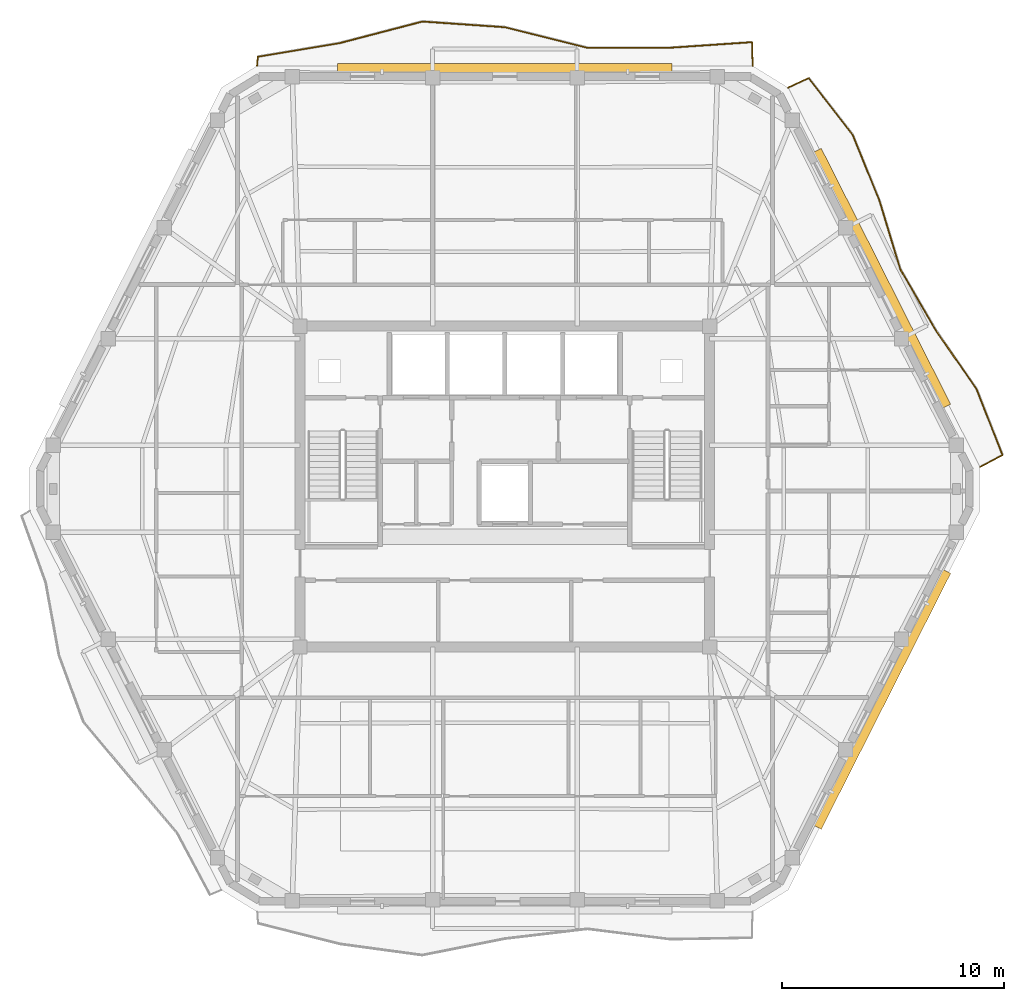
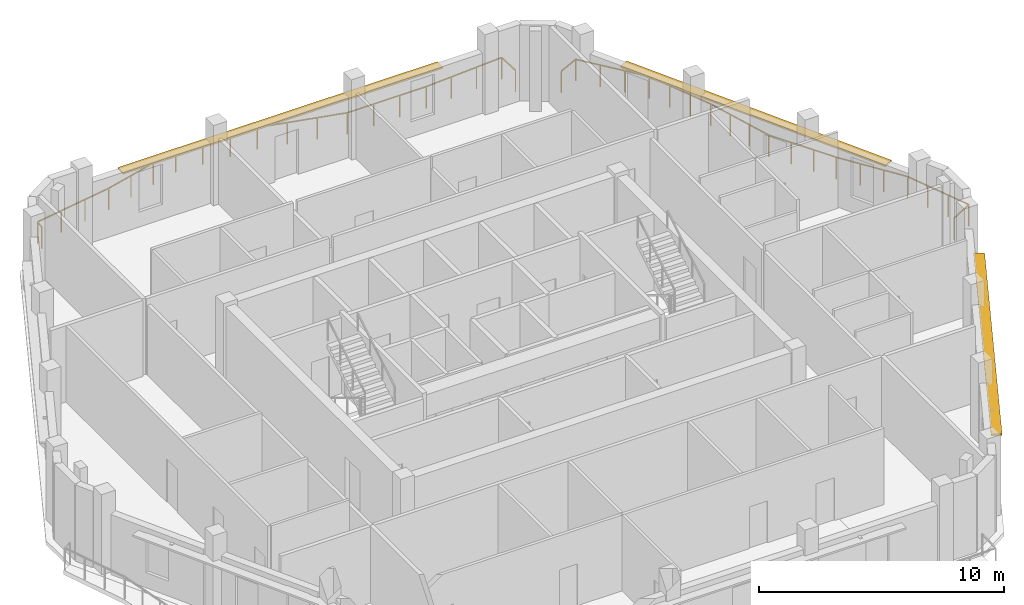
# One storey, part 10 of 10: 3 shading devices, 2 railings.
"""IFC4 building model written with IfcOpenShell, lengths in metres."""

import ifcopenshell
import ifcopenshell.guid

model = None  # the IFC model being written
_history = None  # IfcOwnerHistory: only IFC2X3 demands one
_inside = {}  # id of a spatial element -> (the spatial element, [elements in it])
_under = {}  # id of a project, library or spatial element -> (it, [spatial elements below it])
_declared = {}  # id of a project -> (the project, [libraries it declares])
_typed = {}  # id of a type object -> (the type object, [elements of that type])
_made_of = {}  # id of a material, layer set ... -> (it, [elements and type objects made of it])


def new_model(schema):
    """Start an empty IFC model of exactly this schema.

    Asked for "IFC4X3", IfcOpenShell would pick the latest addendum, in which some entities
    have other attributes; the version numbers below select the first issue.
    IFC2X3 requires an IfcOwnerHistory on every rooted entity: one is made here for all.
    """
    global model, _history
    if schema == "IFC4X3":
        model = ifcopenshell.file(schema_version=(4, 3, 0, 0))
    else:
        model = ifcopenshell.file(schema=schema)
    _inside.clear()
    _under.clear()
    _declared.clear()
    _typed.clear()
    _made_of.clear()
    _history = None
    if model.schema == "IFC2X3":
        org = make("IfcOrganization", Name="unknown")
        user = make(
            "IfcPersonAndOrganization",
            ThePerson=make("IfcPerson", FamilyName="unknown"),
            TheOrganization=org,
        )
        app = make(
            "IfcApplication",
            ApplicationDeveloper=org,
            Version="unknown",
            ApplicationFullName="unknown",
            ApplicationIdentifier="unknown",
        )
        _history = make(
            "IfcOwnerHistory",
            OwningUser=user,
            OwningApplication=app,
            ChangeAction="ADDED",
            CreationDate=0,
        )
    return model


def make(cls, **values):
    """One entity of the class cls with the attributes given. An attribute that is None is left unset."""
    return model.create_entity(
        cls, **{name: value for name, value in values.items() if value is not None}
    )


def rooted(cls, **values):
    """An entity with a GlobalId (a new one), such as an element, a storey or a relation."""
    return make(cls, GlobalId=ifcopenshell.guid.new(), OwnerHistory=_history, **values)


def si_unit(unit_type, name, prefix=None):
    """IfcSIUnit, for example si_unit("LENGTHUNIT", "METRE", prefix="MILLI")."""
    return make("IfcSIUnit", UnitType=unit_type, Prefix=prefix, Name=name)


def assignment(units):
    """IfcUnitAssignment: the units of a project."""
    return None if units is None else make("IfcUnitAssignment", Units=units)


def point(xyz):
    """IfcCartesianPoint."""
    return None if xyz is None else make("IfcCartesianPoint", Coordinates=xyz)


def direction(xyz):
    """IfcDirection."""
    return None if xyz is None else make("IfcDirection", DirectionRatios=xyz)


def frame(location, z_axis=None, x_axis=None):
    """IfcAxis2Placement3D, a coordinate frame: its origin and axes. An axis left out is left unset."""
    return make(
        "IfcAxis2Placement3D",
        Location=point(location),
        Axis=direction(z_axis),
        RefDirection=direction(x_axis),
    )


def frame_2d(location, x_axis=None):
    """IfcAxis2Placement2D, a coordinate frame in the plane: its origin and x axis."""
    return make(
        "IfcAxis2Placement2D", Location=point(location), RefDirection=direction(x_axis)
    )


def origin():
    """The frame at (0, 0, 0) with its axes left unset."""
    return frame((0.0, 0.0, 0.0))


def origin_2d():
    """The frame at (0, 0) in the plane with its x axis left unset."""
    return frame_2d((0.0, 0.0))


def place(relative_to, where):
    """IfcLocalPlacement: puts the frame where relative to a parent placement (None: the world)."""
    return make(
        "IfcLocalPlacement", PlacementRelTo=relative_to, RelativePlacement=where
    )


def context(
    kind, dimensions, precision=None, world=None, true_north=None, identifier=None
):
    """IfcGeometricRepresentationContext, for example the 3D "Model" context."""
    return make(
        "IfcGeometricRepresentationContext",
        ContextIdentifier=identifier,
        ContextType=kind,
        CoordinateSpaceDimension=dimensions,
        Precision=precision,
        WorldCoordinateSystem=world,
        TrueNorth=true_north,
    )


def subcontext(parent, identifier, kind, view, scale=None):
    """IfcGeometricRepresentationSubContext, for example "Body" below "Model"."""
    return make(
        "IfcGeometricRepresentationSubContext",
        ContextIdentifier=identifier,
        ContextType=kind,
        ParentContext=parent,
        TargetScale=scale,
        TargetView=view,
    )


def project(units=None, contexts=None):
    """IfcProject with its units and contexts."""
    return rooted(
        "IfcProject",
        Name="project",
        RepresentationContexts=contexts,
        UnitsInContext=assignment(units),
    )


def spatial(cls, under=None, at=None, **own):
    """A site, building, storey or space (cls), placed at a placement, below another one or the project."""
    s = rooted(cls, ObjectPlacement=at, **own)
    if under is not None:
        _under.setdefault(under.id(), (under, []))[1].append(s)
    return s


def profile(cls, at=None, kind="AREA", **sizes):
    """A parametric profile (cls). Its sizes go by their IFC names, for example OverallWidth=200.0."""
    return make(cls, ProfileType=kind, Position=at, **sizes)


def rectangle(**sizes):
    """IfcRectangleProfileDef."""
    return profile("IfcRectangleProfileDef", **sizes)


def extrude(swept, where, along, depth):
    """IfcExtrudedAreaSolid: the profile swept, set in the frame where, extruded along a direction by depth."""
    return make(
        "IfcExtrudedAreaSolid",
        SweptArea=swept,
        Position=where,
        ExtrudedDirection=direction(along),
        Depth=depth,
    )


def shape(context_of_items, identifier, shape_type, items):
    """IfcShapeRepresentation: the items that make up one representation, for example the "Body"."""
    return make(
        "IfcShapeRepresentation",
        ContextOfItems=context_of_items,
        RepresentationIdentifier=identifier,
        RepresentationType=shape_type,
        Items=items,
    )


def material(Name=None, Category=None):
    """IfcMaterial."""
    return make("IfcMaterial", Name=Name, Category=Category)


def layer(
    of_material, thickness, ventilated=None, Name=None, Category=None, Priority=None
):
    """IfcMaterialLayer: one layer of a wall or slab, of a material (None: an air gap)."""
    return make(
        "IfcMaterialLayer",
        Material=of_material,
        LayerThickness=thickness,
        IsVentilated=ventilated,
        Name=Name,
        Category=Category,
        Priority=Priority,
    )


def layer_set(layers, Name=None):
    """IfcMaterialLayerSet."""
    return make("IfcMaterialLayerSet", MaterialLayers=layers, LayerSetName=Name)


def made_of(thing, what):
    """Note that an element or type object is made of a material, layer set ...; save() writes the relation."""
    if what is not None:
        _made_of.setdefault(what.id(), (what, []))[1].append(thing)
    return thing


def type_object(cls, material=None, **own):
    """A type object (cls), such as IfcWallType, which elements share."""
    return made_of(rooted(cls, **own), material)


def element(
    cls,
    number,
    at=None,
    inside=None,
    cuts=None,
    type_object=None,
    material=None,
    context=None,
    identifier="Body",
    shape_type=None,
    held_by="IfcProductDefinitionShape",
    body=None,
    shapes=None,
    **own,
):
    """One element of the class cls, such as IfcWall. Its Tag is "e" and its number.

    at: its placement. inside: the storey or other place that contains it. cuts: it is an
    opening in that element (IfcRelVoidsElement). A single representation is given by context,
    identifier, shape_type and body (its items); several are given by shapes. held_by: the class
    of the entity that holds the representations. save() writes the other relations.
    """
    e = rooted(cls, Tag="e%d" % number, ObjectPlacement=at, **own)
    if body is not None:
        shapes = [shape(context, identifier, shape_type, body)]
    if shapes is not None:
        e.Representation = make(held_by, Representations=shapes)
    if inside is not None:
        _inside.setdefault(inside.id(), (inside, []))[1].append(e)
    if cuts is not None:
        rooted(
            "IfcRelVoidsElement", RelatingBuildingElement=cuts, RelatedOpeningElement=e
        )
    if type_object is not None:
        _typed.setdefault(type_object.id(), (type_object, []))[1].append(e)
    return made_of(e, material)


def aggregate(whole, parts):
    """IfcRelAggregates: a whole, such as a stair, and the parts it consists of."""
    return rooted("IfcRelAggregates", RelatingObject=whole, RelatedObjects=parts)


def save(model, path):
    """Write the relations noted so far, then the file.

    IfcRelAggregates (storeys below a building ...), IfcRelContainedInSpatialStructure (elements
    in a storey), IfcRelDefinesByType, IfcRelAssociatesMaterial and IfcRelDeclares: one each for
    every whole, place, type object, material and project.
    """
    for whole, parts in _under.values():
        aggregate(whole, parts)
    for where, things in _inside.values():
        rooted(
            "IfcRelContainedInSpatialStructure",
            RelatedElements=things,
            RelatingStructure=where,
        )
    for kind, things in _typed.values():
        rooted("IfcRelDefinesByType", RelatedObjects=things, RelatingType=kind)
    for what, things in _made_of.values():
        rooted("IfcRelAssociatesMaterial", RelatedObjects=things, RelatingMaterial=what)
    for by, libraries in _declared.values():
        rooted("IfcRelDeclares", RelatingContext=by, RelatedDefinitions=libraries)
    model.write(path)


model = new_model("IFC4")

# Units and contexts
model_context = context("Model", 3, precision=1e-05, world=origin(), true_north=direction((0.0, 1.0)))
body_context = subcontext(model_context, "Body", "Model", "MODEL_VIEW")
ifc_project = project(units=[si_unit("LENGTHUNIT", "METRE"), si_unit("AREAUNIT", "SQUARE_METRE"), si_unit("VOLUMEUNIT", "CUBIC_METRE"), si_unit("PLANEANGLEUNIT", "RADIAN"), si_unit("MASSUNIT", "GRAM", prefix="KILO")], contexts=[model_context])

# Site, building, storey
site_placement = place(None, origin())
site = spatial("IfcSite", under=ifc_project, at=site_placement, CompositionType="ELEMENT")
building_placement = place(site_placement, origin())
building = spatial("IfcBuilding", under=site, at=building_placement, Name="Cinnabar Lancet Tower", CompositionType="ELEMENT")
storey_placement = place(building_placement, frame((0.0, 0.0, 287.5)))
storey = spatial("IfcBuildingStorey", under=building, at=storey_placement, Name="L76", CompositionType="ELEMENT", Elevation=287.5)

# Railings
ifc_material_1 = material(Name="Laminated safety glass and bronze stainless steel balustrade", Category="steel")
railing_type = type_object("IfcRailingType", Name="ENV-RLG-BAL-1100", PredefinedType="BALUSTRADE", material=ifc_material_1)
railing_1_placement = place(storey_placement, frame((53.802978515625, 26.781982421875, 0.0)))
element("IfcRailing", 1, at=railing_1_placement, inside=storey, type_object=railing_type, Name="L76 Face 3 Wave Balcony Balustrade", PredefinedType="BALUSTRADE", context=body_context, shape_type="SweptSolid", body=[
    extrude(rectangle(XDim=0.048095703125, YDim=0.048095703125, at=origin_2d()), frame((0.0, 0.0, 1.076171875), z_axis=(0.881286154222, 0.472583023791, 0.0), x_axis=(-0.472583023791, 0.881286154222, 0.0)), (0.0, 0.0, 1.0), 1.142822265625),
    extrude(rectangle(XDim=0.048095703125, YDim=0.048095703125, at=origin_2d()), frame((1.007080078125, 0.5400390625, 1.076171875), z_axis=(-0.366155758675, 0.930553577388, 0.0), x_axis=(-0.930553577388, -0.366155758675, 0.0)), (0.0, 0.0, 1.0), 3.19580078125),
    extrude(rectangle(XDim=0.048095703125, YDim=0.048095703125, at=origin_2d()), frame((-0.1630859375, 3.513916015625, 1.076171875), z_axis=(-0.569640684343, 0.821893843961, 0.0), x_axis=(-0.821893843961, -0.569640684343, 0.0)), (0.0, 0.0, 1.0), 3.212158203125),
    extrude(rectangle(XDim=0.048095703125, YDim=0.048095703125, at=origin_2d()), frame((-1.992919921875, 6.154052734375, 1.076171875), z_axis=(-0.502974787953, 0.864301083352, 0.0), x_axis=(-0.864301083352, -0.502974787953, 0.0)), (0.0, 0.0, 1.0), 3.18505859375),
    extrude(rectangle(XDim=0.048095703125, YDim=0.048095703125, at=origin_2d()), frame((-3.594970703125, 8.906982421875, 1.076171875), z_axis=(-0.290821584178, 0.956777302289, 0.0), x_axis=(-0.956777302289, -0.290821584178, 0.0)), (0.0, 0.0, 1.0), 3.228759765625),
    extrude(rectangle(XDim=0.048095703125, YDim=0.048095703125, at=origin_2d()), frame((-4.533935546875, 11.99609375, 1.076171875), z_axis=(-0.376500101065, 0.926416576869, 0.0), x_axis=(-0.926416576869, -0.376500101065, 0.0)), (0.0, 0.0, 1.0), 3.19287109375),
    extrude(rectangle(XDim=0.048095703125, YDim=0.048095703125, at=origin_2d()), frame((-5.736083984375, 14.9541015625, 1.076171875), z_axis=(-0.61314784503, 0.78996817666, 0.0), x_axis=(-0.78996817666, -0.61314784503, 0.0)), (0.0, 0.0, 1.0), 3.241943359375),
    extrude(rectangle(XDim=0.048095703125, YDim=0.048095703125, at=origin_2d()), frame((-7.723876953125, 17.51513671875, 1.076171875), z_axis=(-0.905918355398, -0.423452397977, 0.0), x_axis=(0.423452397977, -0.905918355398, 0.0)), (0.0, 0.0, 1.0), 1.013671875),
    extrude(rectangle(XDim=0.0419921875, YDim=0.0419921875, at=origin_2d()), origin(), (0.0, 0.0, 1.0), 1.052001953125),
    extrude(rectangle(XDim=0.0419921875, YDim=0.0419921875, at=origin_2d()), frame((1.007080078125, 0.5400390625, 0.0)), (0.0, 0.0, 1.0), 1.052001953125),
    extrude(rectangle(XDim=0.0419921875, YDim=0.0419921875, at=origin_2d()), frame((0.616943359375, 1.53125, 0.0)), (0.0, 0.0, 1.0), 1.052001953125),
    extrude(rectangle(XDim=0.0419921875, YDim=0.0419921875, at=origin_2d()), frame((0.22705078125, 2.522705078125, 0.0)), (0.0, 0.0, 1.0), 1.052001953125),
    extrude(rectangle(XDim=0.0419921875, YDim=0.0419921875, at=origin_2d()), frame((-0.1630859375, 3.513916015625, 0.0)), (0.0, 0.0, 1.0), 1.052001953125),
    extrude(rectangle(XDim=0.0419921875, YDim=0.0419921875, at=origin_2d()), frame((-0.77294921875, 4.39404296875, 0.0)), (0.0, 0.0, 1.0), 1.052001953125),
    extrude(rectangle(XDim=0.0419921875, YDim=0.0419921875, at=origin_2d()), frame((-1.383056640625, 5.27392578125, 0.0)), (0.0, 0.0, 1.0), 1.052001953125),
    extrude(rectangle(XDim=0.0419921875, YDim=0.0419921875, at=origin_2d()), frame((-1.992919921875, 6.154052734375, 0.0)), (0.0, 0.0, 1.0), 1.052001953125),
    extrude(rectangle(XDim=0.0419921875, YDim=0.0419921875, at=origin_2d()), frame((-2.52685546875, 7.07177734375, 0.0)), (0.0, 0.0, 1.0), 1.052001953125),
    extrude(rectangle(XDim=0.0419921875, YDim=0.0419921875, at=origin_2d()), frame((-3.06103515625, 7.9892578125, 0.0)), (0.0, 0.0, 1.0), 1.052001953125),
    extrude(rectangle(XDim=0.0419921875, YDim=0.0419921875, at=origin_2d()), frame((-3.594970703125, 8.906982421875, 0.0)), (0.0, 0.0, 1.0), 1.052001953125),
    extrude(rectangle(XDim=0.0419921875, YDim=0.0419921875, at=origin_2d()), frame((-3.907958984375, 9.936767578125, 0.0)), (0.0, 0.0, 1.0), 1.052001953125),
    extrude(rectangle(XDim=0.0419921875, YDim=0.0419921875, at=origin_2d()), frame((-4.220947265625, 10.96630859375, 0.0)), (0.0, 0.0, 1.0), 1.052001953125),
    extrude(rectangle(XDim=0.0419921875, YDim=0.0419921875, at=origin_2d()), frame((-4.533935546875, 11.99609375, 0.0)), (0.0, 0.0, 1.0), 1.052001953125),
    extrude(rectangle(XDim=0.0419921875, YDim=0.0419921875, at=origin_2d()), frame((-4.9345703125, 12.982177734375, 0.0)), (0.0, 0.0, 1.0), 1.052001953125),
    extrude(rectangle(XDim=0.0419921875, YDim=0.0419921875, at=origin_2d()), frame((-5.33544921875, 13.968017578125, 0.0)), (0.0, 0.0, 1.0), 1.052001953125),
    extrude(rectangle(XDim=0.0419921875, YDim=0.0419921875, at=origin_2d()), frame((-5.736083984375, 14.9541015625, 0.0)), (0.0, 0.0, 1.0), 1.052001953125),
    extrude(rectangle(XDim=0.0419921875, YDim=0.0419921875, at=origin_2d()), frame((-6.398681640625, 15.807861328125, 0.0)), (0.0, 0.0, 1.0), 1.052001953125),
    extrude(rectangle(XDim=0.0419921875, YDim=0.0419921875, at=origin_2d()), frame((-7.061279296875, 16.661376953125, 0.0)), (0.0, 0.0, 1.0), 1.052001953125),
    extrude(rectangle(XDim=0.0419921875, YDim=0.0419921875, at=origin_2d()), frame((-7.723876953125, 17.51513671875, 0.0)), (0.0, 0.0, 1.0), 1.052001953125),
    extrude(rectangle(XDim=0.0419921875, YDim=0.0419921875, at=origin_2d()), frame((-8.64208984375, 17.0859375, 0.0)), (0.0, 0.0, 1.0), 1.052001953125),
])
railing_2_placement = place(storey_placement, frame((43.56396484375, 44.85009765625, 0.0)))
element("IfcRailing", 2, at=railing_2_placement, inside=storey, type_object=railing_type, Name="L76 Face 4 Wave Balcony Balustrade", PredefinedType="BALUSTRADE", context=body_context, shape_type="SweptSolid", body=[
    extrude(rectangle(XDim=0.048095703125, YDim=0.048095703125, at=origin_2d()), frame((0.0, 0.0, 1.076171875), z_axis=(-0.031791701999, 0.999494516085, 0.0), x_axis=(-0.999494516085, -0.031791701999, 0.0)), (0.0, 0.0, 1.0), 1.0673828125),
    extrude(rectangle(XDim=0.048095703125, YDim=0.048095703125, at=origin_2d()), frame((-0.033935546875, 1.06689453125, 1.076171875), z_axis=(-0.997703090351, -0.067738788766, 0.0), x_axis=(0.067738788766, -0.997703090351, 0.0)), (0.0, 0.0, 1.0), 3.719482421875),
    extrude(rectangle(XDim=0.048095703125, YDim=0.048095703125, at=origin_2d()), frame((-3.744873046875, 0.81494140625, 1.076171875), z_axis=(-0.999999861514, -0.000526281093, 0.0), x_axis=(0.000526281093, -0.999999861514, 0.0)), (0.0, 0.0, 1.0), 3.711181640625),
    extrude(rectangle(XDim=0.048095703125, YDim=0.048095703125, at=origin_2d()), frame((-7.4560546875, 0.81298828125, 1.076171875), z_axis=(-0.970142500145, 0.242535625036, 0.0), x_axis=(-0.242535625036, -0.970142500145, 0.0)), (0.0, 0.0, 1.0), 3.822021484375),
    extrude(rectangle(XDim=0.048095703125, YDim=0.048095703125, at=origin_2d()), frame((-11.1640625, 1.739990234375, 1.076171875), z_axis=(-0.997629084841, 0.068820121177, 0.0), x_axis=(-0.068820121177, -0.997629084841, 0.0)), (0.0, 0.0, 1.0), 3.7177734375),
    extrude(rectangle(XDim=0.048095703125, YDim=0.048095703125, at=origin_2d()), frame((-14.873046875, 1.995849609375, 1.076171875), z_axis=(-0.967604423456, -0.252471146289, 0.0), x_axis=(0.252471146289, -0.967604423456, 0.0)), (0.0, 0.0, 1.0), 3.834228515625),
    extrude(rectangle(XDim=0.048095703125, YDim=0.048095703125, at=origin_2d()), frame((-18.5830078125, 1.02783203125, 1.076171875), z_axis=(-0.986327181471, -0.164798941416, 0.0), x_axis=(0.164798941416, -0.986327181471, 0.0)), (0.0, 0.0, 1.0), 3.761474609375),
    extrude(rectangle(XDim=0.048095703125, YDim=0.048095703125, at=origin_2d()), frame((-22.29296875, 0.407958984375, 1.076171875), z_axis=(-0.0852658455, -0.996358236575, 0.0), x_axis=(0.996358236575, -0.0852658455, 0.0)), (0.0, 0.0, 1.0), 0.409423828125),
    extrude(rectangle(XDim=0.0419921875, YDim=0.0419921875, at=origin_2d()), origin(), (0.0, 0.0, 1.0), 1.052001953125),
    extrude(rectangle(XDim=0.0419921875, YDim=0.0419921875, at=origin_2d()), frame((-0.033935546875, 1.06689453125, 0.0)), (0.0, 0.0, 1.0), 1.052001953125),
    extrude(rectangle(XDim=0.0419921875, YDim=0.0419921875, at=origin_2d()), frame((-1.27099609375, 0.98291015625, 0.0)), (0.0, 0.0, 1.0), 1.052001953125),
    extrude(rectangle(XDim=0.0419921875, YDim=0.0419921875, at=origin_2d()), frame((-2.5078125, 0.89892578125, 0.0)), (0.0, 0.0, 1.0), 1.052001953125),
    extrude(rectangle(XDim=0.0419921875, YDim=0.0419921875, at=origin_2d()), frame((-3.744873046875, 0.81494140625, 0.0)), (0.0, 0.0, 1.0), 1.052001953125),
    extrude(rectangle(XDim=0.0419921875, YDim=0.0419921875, at=origin_2d()), frame((-4.98193359375, 0.814208984375, 0.0)), (0.0, 0.0, 1.0), 1.052001953125),
    extrude(rectangle(XDim=0.0419921875, YDim=0.0419921875, at=origin_2d()), frame((-6.218994140625, 0.813720703125, 0.0)), (0.0, 0.0, 1.0), 1.052001953125),
    extrude(rectangle(XDim=0.0419921875, YDim=0.0419921875, at=origin_2d()), frame((-7.4560546875, 0.81298828125, 0.0)), (0.0, 0.0, 1.0), 1.052001953125),
    extrude(rectangle(XDim=0.0419921875, YDim=0.0419921875, at=origin_2d()), frame((-8.692138671875, 1.1220703125, 0.0)), (0.0, 0.0, 1.0), 1.052001953125),
    extrude(rectangle(XDim=0.0419921875, YDim=0.0419921875, at=origin_2d()), frame((-9.927978515625, 1.430908203125, 0.0)), (0.0, 0.0, 1.0), 1.052001953125),
    extrude(rectangle(XDim=0.0419921875, YDim=0.0419921875, at=origin_2d()), frame((-11.1640625, 1.739990234375, 0.0)), (0.0, 0.0, 1.0), 1.052001953125),
    extrude(rectangle(XDim=0.0419921875, YDim=0.0419921875, at=origin_2d()), frame((-12.400390625, 1.8251953125, 0.0)), (0.0, 0.0, 1.0), 1.052001953125),
    extrude(rectangle(XDim=0.0419921875, YDim=0.0419921875, at=origin_2d()), frame((-13.63671875, 1.91064453125, 0.0)), (0.0, 0.0, 1.0), 1.052001953125),
    extrude(rectangle(XDim=0.0419921875, YDim=0.0419921875, at=origin_2d()), frame((-14.873046875, 1.995849609375, 0.0)), (0.0, 0.0, 1.0), 1.052001953125),
    extrude(rectangle(XDim=0.0419921875, YDim=0.0419921875, at=origin_2d()), frame((-16.109619140625, 1.673095703125, 0.0)), (0.0, 0.0, 1.0), 1.052001953125),
    extrude(rectangle(XDim=0.0419921875, YDim=0.0419921875, at=origin_2d()), frame((-17.346435546875, 1.3505859375, 0.0)), (0.0, 0.0, 1.0), 1.052001953125),
    extrude(rectangle(XDim=0.0419921875, YDim=0.0419921875, at=origin_2d()), frame((-18.5830078125, 1.02783203125, 0.0)), (0.0, 0.0, 1.0), 1.052001953125),
    extrude(rectangle(XDim=0.0419921875, YDim=0.0419921875, at=origin_2d()), frame((-19.819580078125, 0.8212890625, 0.0)), (0.0, 0.0, 1.0), 1.052001953125),
    extrude(rectangle(XDim=0.0419921875, YDim=0.0419921875, at=origin_2d()), frame((-21.056396484375, 0.614501953125, 0.0)), (0.0, 0.0, 1.0), 1.052001953125),
    extrude(rectangle(XDim=0.0419921875, YDim=0.0419921875, at=origin_2d()), frame((-22.29296875, 0.407958984375, 0.0)), (0.0, 0.0, 1.0), 1.052001953125),
    extrude(rectangle(XDim=0.0419921875, YDim=0.0419921875, at=origin_2d()), frame((-22.327880859375, 0.0, 0.0)), (0.0, 0.0, 1.0), 1.052001953125),
])

# Shading devices
ifc_material_2 = material(Name="Pale limestone architectural aluminium sunshade", Category="masonry")
ifc_layer = layer(ifc_material_2, 0.080078125)
ifc_layer_set = layer_set([ifc_layer], Name="Pale limestone architectural aluminium sunshade")
shading_device_type = type_object("IfcShadingDeviceType", Name="ENV-SHD-LVR-450", PredefinedType="JALOUSIE", material=ifc_layer_set)
for number, where, z_axis, x_axis, name in (
    (3, (49.364013671875, 16.330078125, 2.639892578125), (0.0, 0.0, 1.0), (0.451375984307, 0.89233386173, 0.0), "L76 Face 2 Horizontal Sunshade Canopy"),
    (4, (49.364013671875, 35.27001953125, 2.639892578125), (0.0, 0.0, 1.0), (-0.451375984307, 0.89233386173, 0.0), "L76 Face 3 Horizontal Sunshade Canopy"),
):
    element("IfcShadingDevice", number, at=place(storey_placement, frame(where, z_axis=z_axis, x_axis=x_axis)), inside=storey, type_object=shading_device_type, Name=name, PredefinedType="JALOUSIE", context=body_context, shape_type="SweptSolid", body=[
        extrude(rectangle(XDim=12.912109375, YDim=0.449951171875, at=origin_2d()), origin(), (0.0, 0.0, 1.0), 0.080078125),
    ])
shading_device_placement = place(storey_placement, frame((32.39990234375, 44.719970703125, 2.639892578125), z_axis=(0.0, 0.0, 1.0), x_axis=(-1.0, 0.0, 0.0)))
element("IfcShadingDevice", 5, at=shading_device_placement, inside=storey, type_object=shading_device_type, Name="L76 Face 4 Horizontal Sunshade Canopy", PredefinedType="JALOUSIE", context=body_context, shape_type="SweptSolid", body=[
    extrude(rectangle(XDim=15.06103515625, YDim=0.449951171875, at=origin_2d()), origin(), (0.0, 0.0, 1.0), 0.080078125),
])

save(model, "model.ifc")
